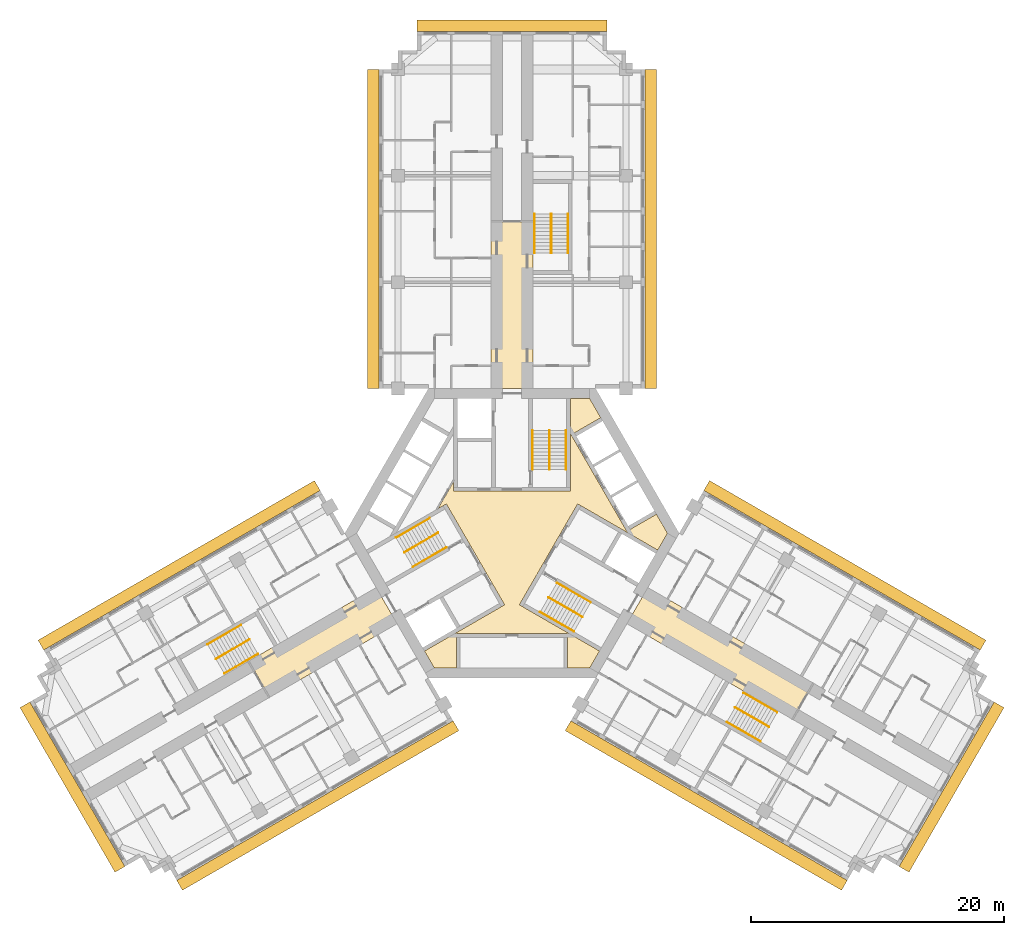
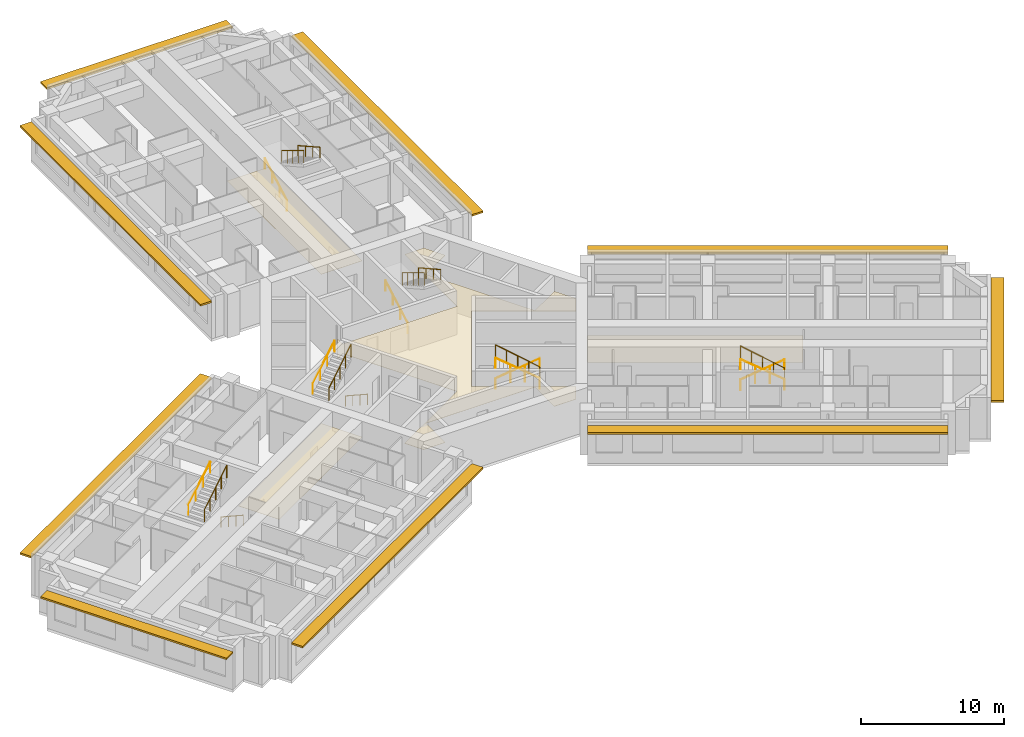
# One storey, part 12 of 12: 18 railings, 4 coverings, 3 shading devices.
"""IFC4 building model written with IfcOpenShell, lengths in metres."""

from ifc_helpers import new_model, si_unit, direction, frame, origin, origin_2d, place, context, subcontext, project, spatial, polyline, rectangle, circle, outline, extrude, material, layer, layer_set, type_object, element, save


model = new_model("IFC4")

# Units and contexts
model_context = context("Model", 3, precision=1e-05, world=origin(), true_north=direction((0.0, 1.0)))
body_context = subcontext(model_context, "Body", "Model", "MODEL_VIEW")
ifc_project = project(units=[si_unit("LENGTHUNIT", "METRE"), si_unit("AREAUNIT", "SQUARE_METRE"), si_unit("VOLUMEUNIT", "CUBIC_METRE"), si_unit("PLANEANGLEUNIT", "RADIAN"), si_unit("MASSUNIT", "GRAM", prefix="KILO")], contexts=[model_context])

# Site, building, storey
site_placement = place(None, origin())
site = spatial("IfcSite", under=ifc_project, at=site_placement, CompositionType="ELEMENT")
building_placement = place(site_placement, origin())
building = spatial("IfcBuilding", under=site, at=building_placement, Name="Impinga Residences", CompositionType="ELEMENT")
storey_placement = place(building_placement, frame((0.0, 0.0, 162.25)))
storey = spatial("IfcBuildingStorey", under=building, at=storey_placement, Name="L40", CompositionType="ELEMENT", Elevation=162.25)

# Coverings
ifc_material_1 = material(Name="Plasterboard 15 mm on steel hangers", Category="steel")
ifc_layer_1 = layer(ifc_material_1, 0.014892578125)
ifc_layer_set_1 = layer_set([ifc_layer_1], Name="Plasterboard 15 mm on steel hangers")
covering_type_1 = type_object("IfcCoveringType", Name="CL1 corridor ceiling, 15 mm plasterboard on hangers", PredefinedType="CEILING", material=ifc_layer_set_1)
covering_1_placement = place(storey_placement, frame((0.0, 0.0, 2.39990234375)))
element("IfcCovering", 1, at=covering_1_placement, inside=storey, type_object=covering_type_1, Name="Corridor ceiling CL1 L40-N00", PredefinedType="CEILING", context=body_context, shape_type="SweptSolid", body=[
    extrude(outline(polyline([(-1.64990234375, 11.431640625), (1.64990234375, 11.431640625), (1.64990234375, 24.58154296875), (-1.64990234375, 24.58154296875), (-1.64990234375, 11.431640625)])), origin(), (0.0, 0.0, 1.0), 0.01513671875),
])
covering_2_placement = place(storey_placement, frame((0.0, 0.0, 2.39990234375)))
element("IfcCovering", 2, at=covering_2_placement, inside=storey, type_object=covering_type_1, Name="Corridor ceiling CL1 L40-W00", PredefinedType="CEILING", context=body_context, shape_type="SweptSolid", body=[
    extrude(outline(polyline([(-10.72509765625, -4.286865234375), (-9.074951171875, -7.144775390625), (-19.121337890625, -12.94482421875), (-20.771240234375, -10.087158203125), (-10.72509765625, -4.286865234375)])), origin(), (0.0, 0.0, 1.0), 0.01513671875),
])
covering_3_placement = place(storey_placement, frame((0.0, 0.0, 2.39990234375)))
element("IfcCovering", 3, at=covering_3_placement, inside=storey, type_object=covering_type_1, Name="Corridor ceiling CL1 L40-E00", PredefinedType="CEILING", context=body_context, shape_type="SweptSolid", body=[
    extrude(outline(polyline([(9.074951171875, -7.144775390625), (10.72509765625, -4.286865234375), (23.759033203125, -11.81201171875), (22.109130859375, -14.669921875), (9.074951171875, -7.144775390625)])), origin(), (0.0, 0.0, 1.0), 0.01513671875),
])
ifc_material_2 = material(Name="Mineral fibre tiles 20 mm on exposed grid", Category="mineral fibre")
ifc_layer_2 = layer(ifc_material_2, 0.02001953125)
ifc_layer_set_2 = layer_set([ifc_layer_2], Name="CL2 lift lobby ceiling, 20 mm mineral fibre tiles")
covering_type_2 = type_object("IfcCoveringType", Name="CL2 lift lobby ceiling, 20 mm mineral fibre tiles", PredefinedType="CEILING", material=ifc_layer_set_2)
covering_4_placement = place(storey_placement, frame((0.0, 0.0, 2.39990234375)))
element("IfcCovering", 4, at=covering_4_placement, inside=storey, type_object=covering_type_2, Name="Lift lobby ceiling CL2 L40-C01", PredefinedType="CEILING", context=body_context, shape_type="SweptSolid", body=[
    extrude(outline(polyline([(5.183837890625, 2.318603515625), (0.583984375, -5.648681640625), (6.9072265625, -9.299560546875), (6.13818359375, -10.631591796875), (4.39990234375, -10.631591796875), (4.39990234375, -7.931640625), (-4.39990234375, -7.931640625), (-4.39990234375, -10.631591796875), (-6.13818359375, -10.631591796875), (-6.9072265625, -9.299560546875), (-0.583984375, -5.648681640625), (-5.183837890625, 2.318603515625), (-5.846923828125, 1.935791015625), (-4.60009765625, 4.095703125), (-4.60009765625, 3.330078125), (4.60009765625, 3.330078125), (4.60009765625, 10.631591796875), (6.13818359375, 10.631591796875), (7.007080078125, 9.126220703125), (4.6689453125, 7.7763671875), (9.06884765625, 0.1552734375), (11.4072265625, 1.50537109375), (12.276123046875, 0.0), (11.507080078125, -1.33203125), (5.183837890625, 2.318603515625)])), origin(), (0.0, 0.0, 1.0), 0.02001953125),
])

# Railings
ifc_material_3 = material(Name="Steel guard, powder coated", Category="steel")
railing_type_1 = type_object("IfcRailingType", Name="GR1 stair guard 1100", PredefinedType="GUARDRAIL", material=ifc_material_3)
railing_1_placement = place(storey_placement, frame((2.949951171875, 8.110107421875, 1.875)))
element("IfcRailing", 5, at=railing_1_placement, inside=storey, type_object=railing_type_1, Name="Stair guard GR1 ST1 L40", PredefinedType="GUARDRAIL", context=body_context, shape_type="SweptSolid", body=[
    extrude(circle(Radius=0.02392578125, at=origin_2d()), frame((0.0, 0.0, 1.076171875), z_axis=(0.0, -0.854177636135, 0.519981313056), x_axis=(1.0, 0.0, 0.0)), (0.0, 0.0, 1.0), 3.60595703125),
    extrude(circle(Radius=0.02099609375, at=origin_2d()), origin(), (0.0, 0.0, 1.0), 1.052001953125),
    extrude(circle(Radius=0.02099609375, at=origin_2d()), frame((0.0, -0.77001953125, 0.46875)), (0.0, 0.0, 1.0), 1.052001953125),
    extrude(circle(Radius=0.02099609375, at=origin_2d()), frame((0.0, -1.5400390625, 0.9375)), (0.0, 0.0, 1.0), 1.052001953125),
    extrude(circle(Radius=0.02099609375, at=origin_2d()), frame((0.0, -2.31005859375, 1.40625)), (0.0, 0.0, 1.0), 1.052001953125),
    extrude(circle(Radius=0.02099609375, at=origin_2d()), frame((0.0, -3.080078125, 1.875)), (0.0, 0.0, 1.0), 1.052001953125),
])
railing_2_placement = place(storey_placement, frame((-8.49853515625, -1.500244140625, 1.875)))
element("IfcRailing", 6, at=railing_2_placement, inside=storey, type_object=railing_type_1, Name="Stair guard GR1 ST2 L40", PredefinedType="GUARDRAIL", context=body_context, shape_type="SweptSolid", body=[
    extrude(circle(Radius=0.02392578125, at=origin_2d()), frame((0.0, 0.0, 1.076171875), z_axis=(0.739746383972, 0.427084037168, 0.519975492303), x_axis=(-0.499992328818, 0.866029832698, 0.0)), (0.0, 0.0, 1.0), 3.60595703125),
    extrude(circle(Radius=0.02099609375, at=origin_2d()), origin(), (0.0, 0.0, 1.0), 1.052001953125),
    extrude(circle(Radius=0.02099609375, at=origin_2d()), frame((0.6669921875, 0.385009765625, 0.46875)), (0.0, 0.0, 1.0), 1.052001953125),
    extrude(circle(Radius=0.02099609375, at=origin_2d()), frame((1.333740234375, 0.77001953125, 0.9375)), (0.0, 0.0, 1.0), 1.052001953125),
    extrude(circle(Radius=0.02099609375, at=origin_2d()), frame((2.00048828125, 1.155029296875, 1.40625)), (0.0, 0.0, 1.0), 1.052001953125),
    extrude(circle(Radius=0.02099609375, at=origin_2d()), frame((2.66748046875, 1.5400390625, 1.875)), (0.0, 0.0, 1.0), 1.052001953125),
])
railing_3_placement = place(storey_placement, frame((5.548583984375, -6.60986328125, 1.875)))
element("IfcRailing", 7, at=railing_3_placement, inside=storey, type_object=railing_type_1, Name="Stair guard GR1 ST3 L40", PredefinedType="GUARDRAIL", context=body_context, shape_type="SweptSolid", body=[
    extrude(circle(Radius=0.02392578125, at=origin_2d()), frame((0.0, 0.0, 1.076171875), z_axis=(-0.739746383972, 0.427084037168, 0.519975492303), x_axis=(-0.499992328818, -0.866029832698, 0.0)), (0.0, 0.0, 1.0), 3.60595703125),
    extrude(circle(Radius=0.02099609375, at=origin_2d()), origin(), (0.0, 0.0, 1.0), 1.052001953125),
    extrude(circle(Radius=0.02099609375, at=origin_2d()), frame((-0.6669921875, 0.385009765625, 0.46875)), (0.0, 0.0, 1.0), 1.052001953125),
    extrude(circle(Radius=0.02099609375, at=origin_2d()), frame((-1.333740234375, 0.77001953125, 0.9375)), (0.0, 0.0, 1.0), 1.052001953125),
    extrude(circle(Radius=0.02099609375, at=origin_2d()), frame((-2.00048828125, 1.155029296875, 1.40625)), (0.0, 0.0, 1.0), 1.052001953125),
    extrude(circle(Radius=0.02099609375, at=origin_2d()), frame((-2.66748046875, 1.5400390625, 1.875)), (0.0, 0.0, 1.0), 1.052001953125),
])
railing_4_placement = place(storey_placement, frame((3.10009765625, 25.21142578125, 1.875)))
element("IfcRailing", 8, at=railing_4_placement, inside=storey, type_object=railing_type_1, Name="Stair guard GR1 WS1 L40", PredefinedType="GUARDRAIL", context=body_context, shape_type="SweptSolid", body=[
    extrude(circle(Radius=0.02392578125, at=origin_2d()), frame((0.0, 0.0, 1.076171875), z_axis=(0.0, -0.854159328187, 0.520011386482), x_axis=(1.0, 0.0, 0.0)), (0.0, 0.0, 1.0), 3.605712890625),
    extrude(circle(Radius=0.02099609375, at=origin_2d()), origin(), (0.0, 0.0, 1.0), 1.052001953125),
    extrude(circle(Radius=0.02099609375, at=origin_2d()), frame((0.0, -0.77001953125, 0.46875)), (0.0, 0.0, 1.0), 1.052001953125),
    extrude(circle(Radius=0.02099609375, at=origin_2d()), frame((0.0, -1.5400390625, 0.9375)), (0.0, 0.0, 1.0), 1.052001953125),
    extrude(circle(Radius=0.02099609375, at=origin_2d()), frame((0.0, -2.309814453125, 1.40625)), (0.0, 0.0, 1.0), 1.052001953125),
    extrude(circle(Radius=0.02099609375, at=origin_2d()), frame((0.0, -3.079833984375, 1.875)), (0.0, 0.0, 1.0), 1.052001953125),
])
railing_5_placement = place(storey_placement, frame((-23.3837890625, -9.921142578125, 1.875)))
element("IfcRailing", 9, at=railing_5_placement, inside=storey, type_object=railing_type_1, Name="Stair guard GR1 WS2 L40", PredefinedType="GUARDRAIL", context=body_context, shape_type="SweptSolid", body=[
    extrude(circle(Radius=0.02392578125, at=origin_2d()), frame((0.0, 0.0, 1.076171875), z_axis=(0.739715726454, 0.427105428144, 0.52000153585), x_axis=(-0.500026652407, 0.866010015463, 0.0)), (0.0, 0.0, 1.0), 3.605712890625),
    extrude(circle(Radius=0.02099609375, at=origin_2d()), origin(), (0.0, 0.0, 1.0), 1.052001953125),
    extrude(circle(Radius=0.02099609375, at=origin_2d()), frame((0.666748046875, 0.385009765625, 0.46875)), (0.0, 0.0, 1.0), 1.052001953125),
    extrude(circle(Radius=0.02099609375, at=origin_2d()), frame((1.33349609375, 0.77001953125, 0.9375)), (0.0, 0.0, 1.0), 1.052001953125),
    extrude(circle(Radius=0.02099609375, at=origin_2d()), frame((2.00048828125, 1.155029296875, 1.40625)), (0.0, 0.0, 1.0), 1.052001953125),
    extrude(circle(Radius=0.02099609375, at=origin_2d()), frame((2.667236328125, 1.5400390625, 1.875)), (0.0, 0.0, 1.0), 1.052001953125),
])
railing_6_placement = place(storey_placement, frame((20.283935546875, -15.29052734375, 1.875)))
element("IfcRailing", 10, at=railing_6_placement, inside=storey, type_object=railing_type_1, Name="Stair guard GR1 WS3 L40", PredefinedType="GUARDRAIL", context=body_context, shape_type="SweptSolid", body=[
    extrude(circle(Radius=0.02392578125, at=origin_2d()), frame((0.0, 0.0, 1.076171875), z_axis=(-0.739746383972, 0.427084037168, 0.519975492303), x_axis=(-0.499992328818, -0.866029832698, 0.0)), (0.0, 0.0, 1.0), 3.60595703125),
    extrude(circle(Radius=0.02099609375, at=origin_2d()), origin(), (0.0, 0.0, 1.0), 1.052001953125),
    extrude(circle(Radius=0.02099609375, at=origin_2d()), frame((-0.6669921875, 0.385009765625, 0.46875)), (0.0, 0.0, 1.0), 1.052001953125),
    extrude(circle(Radius=0.02099609375, at=origin_2d()), frame((-1.333740234375, 0.77001953125, 0.9375)), (0.0, 0.0, 1.0), 1.052001953125),
    extrude(circle(Radius=0.02099609375, at=origin_2d()), frame((-2.00048828125, 1.155029296875, 1.40625)), (0.0, 0.0, 1.0), 1.052001953125),
    extrude(circle(Radius=0.02099609375, at=origin_2d()), frame((-2.66748046875, 1.5400390625, 1.875)), (0.0, 0.0, 1.0), 1.052001953125),
])
ifc_material_4 = material(Name="Steel handrail tube 42 mm, powder coated", Category="steel")
railing_type_2 = type_object("IfcRailingType", Name="HR1 stair handrail, 42 mm steel tube, 900 above the pitch line", PredefinedType="HANDRAIL", material=ifc_material_4)
railing_7_placement = place(storey_placement, frame((1.62109375, 5.030029296875, 0.15625)))
element("IfcRailing", 11, at=railing_7_placement, inside=storey, type_object=railing_type_2, Name="Stair handrail HR1 ST1 L40", PredefinedType="HANDRAIL", context=body_context, shape_type="SweptSolid", body=[
    extrude(circle(Radius=0.02099609375, at=origin_2d()), frame((0.0, 0.0, 0.87890625), z_axis=(0.0, 0.873241540666, 0.487287606713), x_axis=(-1.0, 0.0, 0.0)), (0.0, 0.0, 1.0), 3.527099609375),
    extrude(circle(Radius=0.012451171875, at=origin_2d()), origin(), (0.0, 0.0, 1.0), 0.85791015625),
    extrude(circle(Radius=0.012451171875, at=origin_2d()), frame((0.0, 1.026611328125, 0.572998046875)), (0.0, 0.0, 1.0), 0.85791015625),
    extrude(circle(Radius=0.012451171875, at=origin_2d()), frame((0.0, 2.053466796875, 1.145751953125)), (0.0, 0.0, 1.0), 0.85791015625),
    extrude(circle(Radius=0.012451171875, at=origin_2d()), frame((0.0, 3.080078125, 1.71875)), (0.0, 0.0, 1.0), 0.85791015625),
])
railing_8_placement = place(storey_placement, frame((4.279052734375, 8.110107421875, 2.03125)))
element("IfcRailing", 12, at=railing_8_placement, inside=storey, type_object=railing_type_2, Name="Stair handrail HR1 ST1 L40", PredefinedType="HANDRAIL", context=body_context, shape_type="SweptSolid", body=[
    extrude(circle(Radius=0.02099609375, at=origin_2d()), frame((0.0, 0.0, 0.87890625), z_axis=(0.0, -0.873241540666, 0.487287606713), x_axis=(1.0, 0.0, 0.0)), (0.0, 0.0, 1.0), 3.527099609375),
    extrude(circle(Radius=0.012451171875, at=origin_2d()), origin(), (0.0, 0.0, 1.0), 0.85791015625),
    extrude(circle(Radius=0.012451171875, at=origin_2d()), frame((0.0, -1.026611328125, 0.572998046875)), (0.0, 0.0, 1.0), 0.85791015625),
    extrude(circle(Radius=0.012451171875, at=origin_2d()), frame((0.0, -2.053466796875, 1.145751953125)), (0.0, 0.0, 1.0), 0.85791015625),
    extrude(circle(Radius=0.012451171875, at=origin_2d()), frame((0.0, -3.080078125, 1.71875)), (0.0, 0.0, 1.0), 0.85791015625),
])
railing_9_placement = place(storey_placement, frame((-5.16650390625, -1.111083984375, 0.15625)))
element("IfcRailing", 13, at=railing_9_placement, inside=storey, type_object=railing_type_2, Name="Stair handrail HR1 ST2 L40", PredefinedType="HANDRAIL", context=body_context, shape_type="SweptSolid", body=[
    extrude(circle(Radius=0.02099609375, at=origin_2d()), frame((0.0, 0.0, 0.87890625), z_axis=(-0.756255980417, -0.436615662133, 0.487281905742), x_axis=(0.499992328818, -0.866029832698, 0.0)), (0.0, 0.0, 1.0), 3.527099609375),
    extrude(circle(Radius=0.012451171875, at=origin_2d()), origin(), (0.0, 0.0, 1.0), 0.85791015625),
    extrude(circle(Radius=0.012451171875, at=origin_2d()), frame((-0.88916015625, -0.513427734375, 0.572998046875)), (0.0, 0.0, 1.0), 0.85791015625),
    extrude(circle(Radius=0.012451171875, at=origin_2d()), frame((-1.7783203125, -1.026611328125, 1.145751953125)), (0.0, 0.0, 1.0), 0.85791015625),
    extrude(circle(Radius=0.012451171875, at=origin_2d()), frame((-2.66748046875, -1.5400390625, 1.71875)), (0.0, 0.0, 1.0), 0.85791015625),
])
railing_10_placement = place(storey_placement, frame((-9.1630859375, -0.349365234375, 2.03125)))
element("IfcRailing", 14, at=railing_10_placement, inside=storey, type_object=railing_type_2, Name="Stair handrail HR1 ST2 L40", PredefinedType="HANDRAIL", context=body_context, shape_type="SweptSolid", body=[
    extrude(circle(Radius=0.02099609375, at=origin_2d()), frame((0.0, 0.0, 0.87890625), z_axis=(0.756255980417, 0.436615662133, 0.487281905742), x_axis=(-0.499992328818, 0.866029832698, 0.0)), (0.0, 0.0, 1.0), 3.527099609375),
    extrude(circle(Radius=0.012451171875, at=origin_2d()), origin(), (0.0, 0.0, 1.0), 0.85791015625),
    extrude(circle(Radius=0.012451171875, at=origin_2d()), frame((0.88916015625, 0.513427734375, 0.572998046875)), (0.0, 0.0, 1.0), 0.85791015625),
    extrude(circle(Radius=0.012451171875, at=origin_2d()), frame((1.7783203125, 1.026611328125, 1.145751953125)), (0.0, 0.0, 1.0), 0.85791015625),
    extrude(circle(Radius=0.012451171875, at=origin_2d()), frame((2.66748046875, 1.5400390625, 1.71875)), (0.0, 0.0, 1.0), 0.85791015625),
])
railing_11_placement = place(storey_placement, frame((3.545654296875, -3.9189453125, 0.15625)))
element("IfcRailing", 15, at=railing_11_placement, inside=storey, type_object=railing_type_2, Name="Stair handrail HR1 ST3 L40", PredefinedType="HANDRAIL", context=body_context, shape_type="SweptSolid", body=[
    extrude(circle(Radius=0.02099609375, at=origin_2d()), frame((0.0, 0.0, 0.87890625), z_axis=(0.756249203677, -0.436582492228, 0.487322141317), x_axis=(0.499967199496, 0.866044340336, 0.0)), (0.0, 0.0, 1.0), 3.52685546875),
    extrude(circle(Radius=0.012451171875, at=origin_2d()), origin(), (0.0, 0.0, 1.0), 0.85791015625),
    extrude(circle(Radius=0.012451171875, at=origin_2d()), frame((0.88916015625, -0.51318359375, 0.572998046875)), (0.0, 0.0, 1.0), 0.85791015625),
    extrude(circle(Radius=0.012451171875, at=origin_2d()), frame((1.778076171875, -1.026611328125, 1.145751953125)), (0.0, 0.0, 1.0), 0.85791015625),
    extrude(circle(Radius=0.012451171875, at=origin_2d()), frame((2.667236328125, -1.539794921875, 1.71875)), (0.0, 0.0, 1.0), 0.85791015625),
])
railing_12_placement = place(storey_placement, frame((4.884033203125, -7.7607421875, 2.03125)))
element("IfcRailing", 16, at=railing_12_placement, inside=storey, type_object=railing_type_2, Name="Stair handrail HR1 ST3 L40", PredefinedType="HANDRAIL", context=body_context, shape_type="SweptSolid", body=[
    extrude(circle(Radius=0.02099609375, at=origin_2d()), frame((0.0, 0.0, 0.87890625), z_axis=(-0.756255980417, 0.436615662133, 0.487281905742), x_axis=(-0.499992328818, -0.866029832698, 0.0)), (0.0, 0.0, 1.0), 3.527099609375),
    extrude(circle(Radius=0.012451171875, at=origin_2d()), origin(), (0.0, 0.0, 1.0), 0.85791015625),
    extrude(circle(Radius=0.012451171875, at=origin_2d()), frame((-0.88916015625, 0.513427734375, 0.572998046875)), (0.0, 0.0, 1.0), 0.85791015625),
    extrude(circle(Radius=0.012451171875, at=origin_2d()), frame((-1.7783203125, 1.026611328125, 1.145751953125)), (0.0, 0.0, 1.0), 0.85791015625),
    extrude(circle(Radius=0.012451171875, at=origin_2d()), frame((-2.66748046875, 1.5400390625, 1.71875)), (0.0, 0.0, 1.0), 0.85791015625),
])
railing_13_placement = place(storey_placement, frame((1.77099609375, 22.131591796875, 0.15625)))
element("IfcRailing", 17, at=railing_13_placement, inside=storey, type_object=railing_type_2, Name="Stair handrail HR1 WS1 L40", PredefinedType="HANDRAIL", context=body_context, shape_type="SweptSolid", body=[
    extrude(circle(Radius=0.02099609375, at=origin_2d()), frame((0.0, 0.0, 0.87890625), z_axis=(0.0, 0.873225103656, 0.487317061414), x_axis=(-1.0, 0.0, 0.0)), (0.0, 0.0, 1.0), 3.52685546875),
    extrude(circle(Radius=0.012451171875, at=origin_2d()), origin(), (0.0, 0.0, 1.0), 0.85791015625),
    extrude(circle(Radius=0.012451171875, at=origin_2d()), frame((0.0, 1.026611328125, 0.572998046875)), (0.0, 0.0, 1.0), 0.85791015625),
    extrude(circle(Radius=0.012451171875, at=origin_2d()), frame((0.0, 2.05322265625, 1.145751953125)), (0.0, 0.0, 1.0), 0.85791015625),
    extrude(circle(Radius=0.012451171875, at=origin_2d()), frame((0.0, 3.079833984375, 1.71875)), (0.0, 0.0, 1.0), 0.85791015625),
])
railing_14_placement = place(storey_placement, frame((4.428955078125, 25.21142578125, 2.03125)))
element("IfcRailing", 18, at=railing_14_placement, inside=storey, type_object=railing_type_2, Name="Stair handrail HR1 WS1 L40", PredefinedType="HANDRAIL", context=body_context, shape_type="SweptSolid", body=[
    extrude(circle(Radius=0.02099609375, at=origin_2d()), frame((0.0, 0.0, 0.87890625), z_axis=(0.0, -0.873225103656, 0.487317061414), x_axis=(1.0, 0.0, 0.0)), (0.0, 0.0, 1.0), 3.52685546875),
    extrude(circle(Radius=0.012451171875, at=origin_2d()), origin(), (0.0, 0.0, 1.0), 0.85791015625),
    extrude(circle(Radius=0.012451171875, at=origin_2d()), frame((0.0, -1.026611328125, 0.572998046875)), (0.0, 0.0, 1.0), 0.85791015625),
    extrude(circle(Radius=0.012451171875, at=origin_2d()), frame((0.0, -2.05322265625, 1.145751953125)), (0.0, 0.0, 1.0), 0.85791015625),
    extrude(circle(Radius=0.012451171875, at=origin_2d()), frame((0.0, -3.079833984375, 1.71875)), (0.0, 0.0, 1.0), 0.85791015625),
])
railing_15_placement = place(storey_placement, frame((-20.052001953125, -9.531982421875, 0.15625)))
element("IfcRailing", 19, at=railing_15_placement, inside=storey, type_object=railing_type_2, Name="Stair handrail HR1 WS2 L40", PredefinedType="HANDRAIL", context=body_context, shape_type="SweptSolid", body=[
    extrude(circle(Radius=0.02099609375, at=origin_2d()), frame((0.0, 0.0, 0.87890625), z_axis=(-0.756226348243, -0.436638517594, 0.487307413422), x_axis=(0.500026652407, -0.866010015463, 0.0)), (0.0, 0.0, 1.0), 3.527099609375),
    extrude(circle(Radius=0.012451171875, at=origin_2d()), origin(), (0.0, 0.0, 1.0), 0.85791015625),
    extrude(circle(Radius=0.012451171875, at=origin_2d()), frame((-0.88916015625, -0.513427734375, 0.572998046875)), (0.0, 0.0, 1.0), 0.85791015625),
    extrude(circle(Radius=0.012451171875, at=origin_2d()), frame((-1.778076171875, -1.026611328125, 1.145751953125)), (0.0, 0.0, 1.0), 0.85791015625),
    extrude(circle(Radius=0.012451171875, at=origin_2d()), frame((-2.667236328125, -1.5400390625, 1.71875)), (0.0, 0.0, 1.0), 0.85791015625),
])
railing_16_placement = place(storey_placement, frame((-24.04833984375, -8.77001953125, 2.03125)))
element("IfcRailing", 20, at=railing_16_placement, inside=storey, type_object=railing_type_2, Name="Stair handrail HR1 WS2 L40", PredefinedType="HANDRAIL", context=body_context, shape_type="SweptSolid", body=[
    extrude(circle(Radius=0.02099609375, at=origin_2d()), frame((0.0, 0.0, 0.87890625), z_axis=(0.756278834354, 0.436559638319, 0.487296631324), x_axis=(-0.499932877268, 0.866064153644, 0.0)), (0.0, 0.0, 1.0), 3.527099609375),
    extrude(circle(Radius=0.012451171875, at=origin_2d()), origin(), (0.0, 0.0, 1.0), 0.85791015625),
    extrude(circle(Radius=0.012451171875, at=origin_2d()), frame((0.88916015625, 0.51318359375, 0.572998046875)), (0.0, 0.0, 1.0), 0.85791015625),
    extrude(circle(Radius=0.012451171875, at=origin_2d()), frame((1.7783203125, 1.026611328125, 1.145751953125)), (0.0, 0.0, 1.0), 0.85791015625),
    extrude(circle(Radius=0.012451171875, at=origin_2d()), frame((2.66748046875, 1.539794921875, 1.71875)), (0.0, 0.0, 1.0), 0.85791015625),
])
railing_17_placement = place(storey_placement, frame((18.281005859375, -12.599609375, 0.15625)))
element("IfcRailing", 21, at=railing_17_placement, inside=storey, type_object=railing_type_2, Name="Stair handrail HR1 WS3 L40", PredefinedType="HANDRAIL", context=body_context, shape_type="SweptSolid", body=[
    extrude(circle(Radius=0.02099609375, at=origin_2d()), frame((0.0, 0.0, 0.87890625), z_axis=(0.756249203677, -0.436582492228, 0.487322141317), x_axis=(0.499967199496, 0.866044340336, 0.0)), (0.0, 0.0, 1.0), 3.52685546875),
    extrude(circle(Radius=0.012451171875, at=origin_2d()), origin(), (0.0, 0.0, 1.0), 0.85791015625),
    extrude(circle(Radius=0.012451171875, at=origin_2d()), frame((0.88916015625, -0.51318359375, 0.572998046875)), (0.0, 0.0, 1.0), 0.85791015625),
    extrude(circle(Radius=0.012451171875, at=origin_2d()), frame((1.778076171875, -1.026611328125, 1.145751953125)), (0.0, 0.0, 1.0), 0.85791015625),
    extrude(circle(Radius=0.012451171875, at=origin_2d()), frame((2.667236328125, -1.539794921875, 1.71875)), (0.0, 0.0, 1.0), 0.85791015625),
])
railing_18_placement = place(storey_placement, frame((19.619384765625, -16.44140625, 2.03125)))
element("IfcRailing", 22, at=railing_18_placement, inside=storey, type_object=railing_type_2, Name="Stair handrail HR1 WS3 L40", PredefinedType="HANDRAIL", context=body_context, shape_type="SweptSolid", body=[
    extrude(circle(Radius=0.02099609375, at=origin_2d()), frame((0.0, 0.0, 0.87890625), z_axis=(-0.756255980417, 0.436615662133, 0.487281905742), x_axis=(-0.499992328818, -0.866029832698, 0.0)), (0.0, 0.0, 1.0), 3.527099609375),
    extrude(circle(Radius=0.012451171875, at=origin_2d()), origin(), (0.0, 0.0, 1.0), 0.85791015625),
    extrude(circle(Radius=0.012451171875, at=origin_2d()), frame((-0.88916015625, 0.513427734375, 0.572998046875)), (0.0, 0.0, 1.0), 0.85791015625),
    extrude(circle(Radius=0.012451171875, at=origin_2d()), frame((-1.7783203125, 1.026611328125, 1.145751953125)), (0.0, 0.0, 1.0), 0.85791015625),
    extrude(circle(Radius=0.012451171875, at=origin_2d()), frame((-2.66748046875, 1.5400390625, 1.71875)), (0.0, 0.0, 1.0), 0.85791015625),
])

# Shading devices
ifc_material_5 = material(Name="Terracotta sunshade blades on aluminium brackets", Category="masonry")
ifc_layer_3 = layer(ifc_material_5, 0.14990234375)
ifc_layer_set_3 = layer_set([ifc_layer_3], Name="SS1 SUNSHADE terracotta sunshade band 900")
shading_device_type = type_object("IfcShadingDeviceType", Name="SS1 SUNSHADE terracotta sunshade band 900", PredefinedType="USERDEFINED", material=ifc_layer_set_3)
shading_device_1_placement = place(storey_placement, frame((-10.949951171875, 24.031494140625, 3.10009765625), z_axis=(0.0, 0.0, 1.0), x_axis=(0.0, 1.0, 0.0)))
element("IfcShadingDevice", 23, at=shading_device_1_placement, inside=storey, type_object=shading_device_type, Name="SUNSHADE band L40 NORTH WING", ObjectType="SUNSHADE", PredefinedType="USERDEFINED", context=body_context, shape_type="SweptSolid", body=[
    extrude(rectangle(XDim=25.199951171875, YDim=0.89990234375, at=origin_2d()), origin(), (0.0, 0.0, 1.0), 0.14990234375),
    extrude(rectangle(XDim=15.0, YDim=0.89990234375, at=origin_2d()), frame((16.050048828125, -10.949951171875, 0.0), z_axis=(0.0, 0.0, 1.0), x_axis=(0.0, -1.0, 0.0)), (0.0, 0.0, 1.0), 0.14990234375),
    extrude(rectangle(XDim=25.199951171875, YDim=0.89990234375, at=origin_2d()), frame((0.0, -21.89990234375, 0.0), z_axis=(0.0, 0.0, 1.0), x_axis=(-1.0, 0.0, 0.0)), (0.0, 0.0, 1.0), 0.14990234375),
])
shading_device_2_placement = place(storey_placement, frame((-34.711669921875, -20.040771484375, 3.10009765625), z_axis=(0.0, 0.0, 1.0), x_axis=(-0.5, 0.866025403784, 0.0)))
element("IfcShadingDevice", 24, at=shading_device_2_placement, inside=storey, type_object=shading_device_type, Name="SUNSHADE band L40 WEST WING", ObjectType="SUNSHADE", PredefinedType="USERDEFINED", context=body_context, shape_type="SweptSolid", body=[
    extrude(rectangle(XDim=15.0, YDim=0.89990234375, at=origin_2d()), origin(), (0.0, 0.0, 1.0), 0.14990234375),
    extrude(rectangle(XDim=25.199951171875, YDim=0.89990234375, at=origin_2d()), frame((10.949951171875, -16.050048828125, 0.0), z_axis=(0.0, 0.0, 1.0), x_axis=(0.0, -1.0, 0.0)), (0.0, 0.0, 1.0), 0.14990234375),
    extrude(rectangle(XDim=25.199951171875, YDim=0.89990234375, at=origin_2d()), frame((-10.949951171875, -16.050048828125, 0.0), z_axis=(0.0, 0.0, 1.0), x_axis=(0.0, 1.0, 0.0)), (0.0, 0.0, 1.0), 0.14990234375),
])
shading_device_3_placement = place(storey_placement, frame((26.286865234375, -2.53271484375, 3.10009765625), z_axis=(0.0, 0.0, 1.0), x_axis=(0.866025403784, -0.5, 0.0)))
element("IfcShadingDevice", 25, at=shading_device_3_placement, inside=storey, type_object=shading_device_type, Name="SUNSHADE band L40 EAST WING", ObjectType="SUNSHADE", PredefinedType="USERDEFINED", context=body_context, shape_type="SweptSolid", body=[
    extrude(rectangle(XDim=25.199951171875, YDim=0.89990234375, at=origin_2d()), origin(), (0.0, 0.0, 1.0), 0.14990234375),
    extrude(rectangle(XDim=15.0, YDim=0.89990234375, at=origin_2d()), frame((16.050048828125, -10.949951171875, 0.0), z_axis=(0.0, 0.0, 1.0), x_axis=(0.0, -1.0, 0.0)), (0.0, 0.0, 1.0), 0.14990234375),
    extrude(rectangle(XDim=25.199951171875, YDim=0.89990234375, at=origin_2d()), frame((0.0, -21.900146484375, 0.0), z_axis=(0.0, 0.0, 1.0), x_axis=(-1.0, 0.0, 0.0)), (0.0, 0.0, 1.0), 0.14990234375),
])

save(model, "model.ifc")
